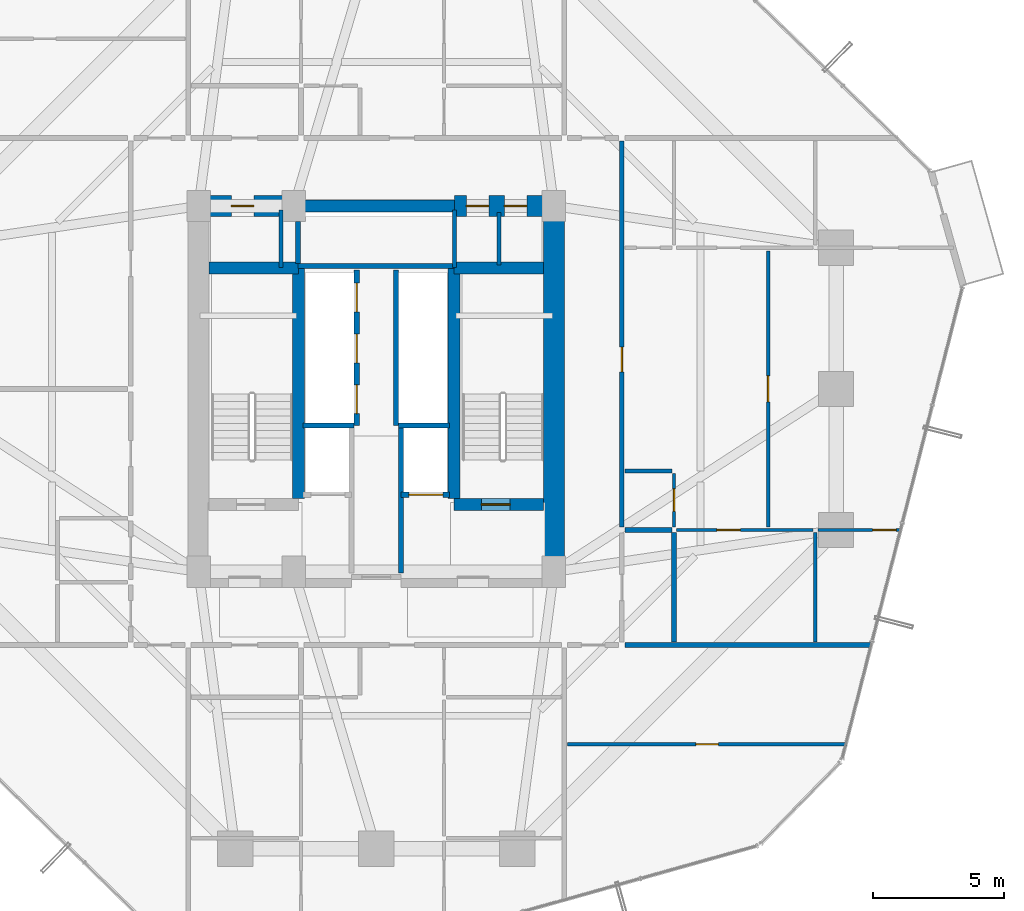
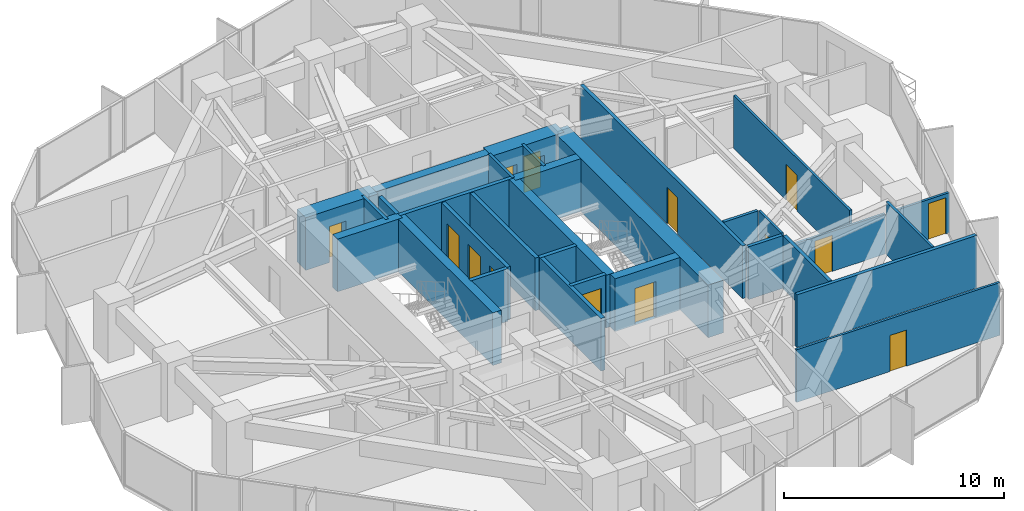
# One storey, part 35 of 39: 31 walls, 14 doors, 14 openings.
"""IFC4 building model written with IfcOpenShell, lengths in metres."""

from ifc_helpers import new_model, si_unit, direction, frame, frame_2d, origin, place, context, subcontext, project, spatial, rectangle, extrude, source, transform, mapped, material, layer, layer_set, type_object, element, fill, save


model = new_model("IFC4")

# Units and contexts
model_context = context("Model", 3, precision=1e-05, world=origin(), true_north=direction((0.0, 1.0)))
body_context = subcontext(model_context, "Body", "Model", "MODEL_VIEW")
ifc_project = project(units=[si_unit("LENGTHUNIT", "METRE"), si_unit("AREAUNIT", "SQUARE_METRE"), si_unit("VOLUMEUNIT", "CUBIC_METRE"), si_unit("PLANEANGLEUNIT", "RADIAN"), si_unit("MASSUNIT", "GRAM", prefix="KILO")], contexts=[model_context])

# Site, building, storey
site_placement = place(None, origin())
site = spatial("IfcSite", under=ifc_project, at=site_placement, CompositionType="ELEMENT")
building_placement = place(site_placement, origin())
building = spatial("IfcBuilding", under=site, at=building_placement, Name="Veraguas Prism Commons", CompositionType="ELEMENT")
storey_placement = place(building_placement, frame((0.0, 0.0, 77.10009765625)))
storey = spatial("IfcBuildingStorey", under=building, at=storey_placement, Name="L21", CompositionType="ELEMENT", Elevation=77.10009765625)

# Wall
ifc_material_1 = material(Name="Concrete C60/75", Category="concrete")
ifc_layer_1 = layer(ifc_material_1, 0.449951171875, Name="Core Internal Shear Wall Lower RC 450", Category="concrete")
ifc_layer_set_1 = layer_set([ifc_layer_1], Name="Concrete C60/75")
wall_type_1 = type_object("IfcWallType", Name="Core Internal Shear Wall Lower RC 450", PredefinedType="SHEAR", material=ifc_layer_set_1)
wall_1_placement = place(storey_placement, frame((21.0, 31.0, 0.0), z_axis=(0.0, 0.0, 1.0), x_axis=(1.0, 0.0, 0.0)))
element("IfcWall", 1, at=wall_1_placement, inside=storey, type_object=wall_type_1, Name="High-Rise Lift Bank Front Shear Wall L21", PredefinedType="SHEAR", context=body_context, shape_type="SweptSolid", body=[
    extrude(rectangle(XDim=6.0, YDim=0.449951171875, at=frame_2d((3.0, 0.0))), origin(), (0.0, 0.0, 1.0), 2.929931640625),
])

# Wall, opening, door
wall_2_placement = place(storey_placement, frame((26.97509765625, 19.574951171875, 0.0), z_axis=(0.0, 0.0, 1.0), x_axis=(1.0, 0.0, 0.0)))
wall_2 = element("IfcWall", 2, at=wall_2_placement, inside=storey, type_object=wall_type_1, Name="Stair ST-02 South Shear Wall L21", PredefinedType="SHEAR", context=body_context, shape_type="SweptSolid", body=[
    extrude(rectangle(XDim=3.4248046875, YDim=0.449951171875, at=frame_2d((1.71240234375, 0.0))), origin(), (0.0, 0.0, 1.0), 2.929931640625),
])
opening_1_placement = place(wall_2_placement, frame((1.050048828125, 0.0, 0.0)))
opening_1 = element("IfcOpeningElement", 3, at=opening_1_placement, cuts=wall_2, Name="Opening DR-05", PredefinedType="OPENING", context=body_context, shape_type="SweptSolid", body=[
    extrude(rectangle(XDim=1.10009765625, YDim=2.030029296875, at=frame_2d((0.550048828125, 1.01513671875))), frame((0.0, 0.23486328125, 0.0), z_axis=(0.0, -1.0, 0.0), x_axis=(1.0, 0.0, 0.0)), (0.0, 0.0, 1.0), 0.469970703125),
])
ifc_material_2 = material(Name="Steel fire-rated door assembly", Category="steel")
door_type_1 = type_object("IfcDoorType", Name="Protected Stair and Refuge Fire Door 1100x2030", OperationType="NOTDEFINED", PredefinedType="DOOR", material=ifc_material_2)
shared_shape_1 = source(origin(), body_context, "Body", "SweptSolid", [
    extrude(rectangle(XDim=1.10009765625, YDim=2.030029296875, at=frame_2d((0.550048828125, 1.01513671875))), frame((0.0, 0.02490234375, 0.0), z_axis=(0.0, -1.0, 0.0), x_axis=(1.0, 0.0, 0.0)), (0.0, 0.0, 1.0), 0.050048828125),
])
door_1_placement = place(opening_1_placement, origin())
door_1 = element("IfcDoor", 4, at=door_1_placement, inside=storey, type_object=door_type_1, Name="Stair ST-02 Enclosure Door L21", OperationType="SINGLE_SWING_RIGHT", OverallHeight=2.030029296875, OverallWidth=1.10009765625, PredefinedType="DOOR", context=body_context, shape_type="MappedRepresentation", body=[
    mapped(shared_shape_1, transform((0.0, 0.0, 0.0), scale=1.0)),
])
fill(opening_1, door_1)

# Walls
for number, where, z_axis, x_axis, name in (
    (5, (21.02490234375, 19.800048828125, 0.0), (0.0, 0.0, 1.0), (0.0, 1.0, 0.0), "Stair ST-01 Inner Shear Wall L21"),
    (6, (26.97509765625, 19.800048828125, 0.0), (0.0, 0.0, 1.0), (0.0, 1.0, 0.0), "Stair ST-02 Inner Shear Wall L21"),
):
    element("IfcWall", number, at=place(storey_placement, frame(where, z_axis=z_axis, x_axis=x_axis)), inside=storey, type_object=wall_type_1, Name=name, PredefinedType="SHEAR", context=body_context, shape_type="SweptSolid", body=[
        extrude(rectangle(XDim=8.824951171875, YDim=0.449951171875, at=frame_2d((4.41259765625, 0.0))), origin(), (0.0, 0.0, 1.0), 2.929931640625),
    ])
for number, where, z_axis, x_axis, name in (
    (7, (17.60009765625, 28.625, 0.0), (0.0, 0.0, 1.0), (1.0, 0.0, 0.0), "Stair ST-01 North Shear Wall L21"),
    (8, (26.97509765625, 28.625, 0.0), (0.0, 0.0, 1.0), (1.0, 0.0, 0.0), "Stair ST-02 North Shear Wall L21"),
):
    element("IfcWall", number, at=place(storey_placement, frame(where, z_axis=z_axis, x_axis=x_axis)), inside=storey, type_object=wall_type_1, Name=name, PredefinedType="SHEAR", context=body_context, shape_type="SweptSolid", body=[
        extrude(rectangle(XDim=3.4248046875, YDim=0.449951171875, at=frame_2d((1.71240234375, 0.0))), origin(), (0.0, 0.0, 1.0), 2.929931640625),
    ])
ifc_layer_2 = layer(ifc_material_1, 0.800048828125, Name="Core Outer Shear Wall Lower RC 800", Category="concrete")
ifc_layer_set_2 = layer_set([ifc_layer_2], Name="Concrete C60/75")
wall_type_2 = type_object("IfcWallType", Name="Core Outer Shear Wall Lower RC 800", PredefinedType="SHEAR", material=ifc_layer_set_2)
wall_3_placement = place(storey_placement, frame((30.800048828125, 16.800048828125, 0.0), z_axis=(0.0, 0.0, 1.0), x_axis=(0.0, 1.0, 0.0)))
element("IfcWall", 9, at=wall_3_placement, inside=storey, type_object=wall_type_2, Name="Central Core East Shear Wall L21", PredefinedType="SHEAR", context=body_context, shape_type="SweptSolid", body=[
    extrude(rectangle(XDim=14.199951171875, YDim=0.800048828125, at=frame_2d((7.10009765625, 0.0))), origin(), (0.0, 0.0, 1.0), 2.929931640625),
])

# Wall, opening, door
wall_4_placement = place(storey_placement, frame((17.199951171875, 31.0, 0.0), z_axis=(0.0, 0.0, 1.0), x_axis=(1.0, 0.0, 0.0)))
wall_4 = element("IfcWall", 10, at=wall_4_placement, inside=storey, type_object=wall_type_2, Name="Central Core North-West Shear Wall L21", PredefinedType="SHEAR", context=body_context, shape_type="SweptSolid", body=[
    extrude(rectangle(XDim=3.800048828125, YDim=0.800048828125, at=frame_2d((1.89990234375, 0.0))), origin(), (0.0, 0.0, 1.0), 2.929931640625),
])
opening_2_placement = place(wall_4_placement, frame((1.25, 0.0, 0.0)))
opening_2 = element("IfcOpeningElement", 11, at=opening_2_placement, cuts=wall_4, Name="Opening DR-12", PredefinedType="OPENING", context=body_context, shape_type="SweptSolid", body=[
    extrude(rectangle(XDim=0.860107421875, YDim=2.010009765625, at=frame_2d((0.43017578125, 1.0048828125))), frame((0.0, 0.409912109375, 0.0), z_axis=(0.0, -1.0, 0.0), x_axis=(1.0, 0.0, 0.0)), (0.0, 0.0, 1.0), 0.820068359375),
])
door_type_2 = type_object("IfcDoorType", Name="Core WC Fire Door 860x2010", OperationType="NOTDEFINED", PredefinedType="DOOR", material=ifc_material_2)
shared_shape_2 = source(origin(), body_context, "Body", "SweptSolid", [
    extrude(rectangle(XDim=0.860107421875, YDim=2.010009765625, at=frame_2d((0.43017578125, 1.0048828125))), frame((0.0, 0.02490234375, 0.0), z_axis=(0.0, -1.0, 0.0), x_axis=(1.0, 0.0, 0.0)), (0.0, 0.0, 1.0), 0.050048828125),
])
door_2_placement = place(opening_2_placement, origin())
door_2 = element("IfcDoor", 12, at=door_2_placement, inside=storey, type_object=door_type_2, Name="Core NW Service Door L21", OperationType="SINGLE_SWING_RIGHT", OverallHeight=2.010009765625, OverallWidth=0.860107421875, PredefinedType="DOOR", context=body_context, shape_type="MappedRepresentation", body=[
    mapped(shared_shape_2, transform((0.0, 0.0, 0.0), scale=1.0)),
])
fill(opening_2, door_2)

# Wall, openings, doors
wall_5_placement = place(storey_placement, frame((27.0, 31.0, 0.0), z_axis=(0.0, 0.0, 1.0), x_axis=(1.0, 0.0, 0.0)))
wall_5 = element("IfcWall", 13, at=wall_5_placement, inside=storey, type_object=wall_type_2, Name="Central Core North-East Shear Wall L21", PredefinedType="SHEAR", context=body_context, shape_type="SweptSolid", body=[
    extrude(rectangle(XDim=3.800048828125, YDim=0.800048828125, at=frame_2d((1.89990234375, 0.0))), origin(), (0.0, 0.0, 1.0), 2.929931640625),
])
opening_3_placement = place(wall_5_placement, frame((0.449951171875, 0.0, 0.0)))
opening_3 = element("IfcOpeningElement", 14, at=opening_3_placement, cuts=wall_5, Name="Opening DR-12", PredefinedType="OPENING", context=body_context, shape_type="SweptSolid", body=[
    extrude(rectangle(XDim=0.860107421875, YDim=2.010009765625, at=frame_2d((0.43017578125, 1.0048828125))), frame((0.0, 0.409912109375, 0.0), z_axis=(0.0, -1.0, 0.0), x_axis=(1.0, 0.0, 0.0)), (0.0, 0.0, 1.0), 0.820068359375),
])
opening_4_placement = place(wall_5_placement, frame((1.89990234375, 0.0, 0.0)))
opening_4 = element("IfcOpeningElement", 15, at=opening_4_placement, cuts=wall_5, Name="Opening DR-12", PredefinedType="OPENING", context=body_context, shape_type="SweptSolid", body=[
    extrude(rectangle(XDim=0.860107421875, YDim=2.010009765625, at=frame_2d((0.43017578125, 1.0048828125))), frame((0.0, 0.409912109375, 0.0), z_axis=(0.0, -1.0, 0.0), x_axis=(1.0, 0.0, 0.0)), (0.0, 0.0, 1.0), 0.820068359375),
])
door_3_placement = place(opening_3_placement, origin())
door_3 = element("IfcDoor", 16, at=door_3_placement, inside=storey, type_object=door_type_2, Name="Core NE Room A Door L21", OperationType="SINGLE_SWING_LEFT", OverallHeight=2.010009765625, OverallWidth=0.860107421875, PredefinedType="DOOR", context=body_context, shape_type="MappedRepresentation", body=[
    mapped(shared_shape_2, transform((0.0, 0.0, 0.0), scale=1.0)),
])
fill(opening_3, door_3)
door_4_placement = place(opening_4_placement, origin())
door_4 = element("IfcDoor", 17, at=door_4_placement, inside=storey, type_object=door_type_2, Name="Core NE Room B Door L21", OperationType="SINGLE_SWING_RIGHT", OverallHeight=2.010009765625, OverallWidth=0.860107421875, PredefinedType="DOOR", context=body_context, shape_type="MappedRepresentation", body=[
    mapped(shared_shape_2, transform((0.0, 0.0, 0.0), scale=1.0)),
])
fill(opening_4, door_4)

# Wall
ifc_material_3 = material(Name="Autoclaved aerated masonry block 10 MPa", Category="masonry")
ifc_layer_3 = layer(ifc_material_3, 0.179931640625, Name="Corridor and Inter-Tenancy Partition 180", Category="masonry")
ifc_layer_set_3 = layer_set([ifc_layer_3], Name="Autoclaved aerated masonry block 10 MPa")
wall_type_3 = type_object("IfcWallType", Name="Corridor and Inter-Tenancy Partition 180", PredefinedType="PARTITIONING", material=ifc_layer_set_3)
wall_6_placement = place(storey_placement, frame((33.52001953125, 14.199951171875, 0.0), z_axis=(0.0, 0.0, 1.0), x_axis=(1.0, 0.0, 0.0)))
element("IfcWall", 18, at=wall_6_placement, inside=storey, type_object=wall_type_3, Name="WL-L21-PT044", PredefinedType="PARTITIONING", context=body_context, shape_type="SweptSolid", body=[
    extrude(rectangle(XDim=9.46044921875, YDim=0.179931640625, at=frame_2d((4.730224609375, 0.0))), origin(), (0.0, 0.0, 1.0), 2.929931640625),
])

# Wall, opening, door
wall_7_placement = place(storey_placement, frame((33.39990234375, 18.7099609375, 0.0), z_axis=(0.0, 0.0, 1.0), x_axis=(0.0, 1.0, 0.0)))
wall_7 = element("IfcWall", 19, at=wall_7_placement, inside=storey, type_object=wall_type_3, Name="WL-L21-PT047", PredefinedType="PARTITIONING", context=body_context, shape_type="SweptSolid", body=[
    extrude(rectangle(XDim=14.780029296875, YDim=0.179931640625, at=frame_2d((7.39013671875, 0.0))), origin(), (0.0, 0.0, 1.0), 2.929931640625),
])
opening_5_placement = place(wall_7_placement, frame((5.93994140625, 0.0, 0.0)))
opening_5 = element("IfcOpeningElement", 20, at=opening_5_placement, cuts=wall_7, Name="Opening DR-01", PredefinedType="OPENING", context=body_context, shape_type="SweptSolid", body=[
    extrude(rectangle(XDim=0.949951171875, YDim=2.02001953125, at=frame_2d((0.47509765625, 1.010009765625))), frame((0.0, 0.099853515625, 0.0), z_axis=(0.0, -1.0, 0.0), x_axis=(1.0, 0.0, 0.0)), (0.0, 0.0, 1.0), 0.199951171875),
])
ifc_material_4 = material(Name="Anodised aluminium EN AW-6063 T6", Category="aluminium")
door_type_3 = type_object("IfcDoorType", Name="Apartment Entrance Fire Door 950x2020", OperationType="NOTDEFINED", PredefinedType="DOOR", material=ifc_material_4)
shared_shape_3 = source(origin(), body_context, "Body", "SweptSolid", [
    extrude(rectangle(XDim=0.949951171875, YDim=2.02001953125, at=frame_2d((0.47509765625, 1.010009765625))), frame((0.0, 0.02490234375, 0.0), z_axis=(0.0, -1.0, 0.0), x_axis=(1.0, 0.0, 0.0)), (0.0, 0.0, 1.0), 0.050048828125),
])
door_5_placement = place(opening_5_placement, origin())
door_5 = element("IfcDoor", 21, at=door_5_placement, inside=storey, type_object=door_type_3, Name="Flat 21C Entrance Door", OperationType="SINGLE_SWING_RIGHT", OverallHeight=2.02001953125, OverallWidth=0.949951171875, PredefinedType="DOOR", context=body_context, shape_type="MappedRepresentation", body=[
    mapped(shared_shape_3, transform((0.0, 0.0, 0.0), scale=1.0)),
])
fill(opening_5, door_5)

# Walls
wall_8_placement = place(storey_placement, frame((35.39990234375, 14.320068359375, 0.0), z_axis=(0.0, 0.0, 1.0), x_axis=(0.0, 1.0, 0.0)))
element("IfcWall", 22, at=wall_8_placement, inside=storey, type_object=wall_type_3, Name="WL-L21-PT053", PredefinedType="PARTITIONING", context=body_context, shape_type="SweptSolid", body=[
    extrude(rectangle(XDim=4.179931640625, YDim=0.179931640625, at=frame_2d((2.08984375, 0.0))), origin(), (0.0, 0.0, 1.0), 2.929931640625),
])
wall_9_placement = place(storey_placement, frame((33.52001953125, 18.60009765625, 0.0), z_axis=(0.0, 0.0, 1.0), x_axis=(1.0, 0.0, 0.0)))
element("IfcWall", 23, at=wall_9_placement, inside=storey, type_object=wall_type_3, Name="WL-L21-PT054", PredefinedType="PARTITIONING", context=body_context, shape_type="SweptSolid", body=[
    extrude(rectangle(XDim=1.800048828125, YDim=0.179931640625, at=frame_2d((0.89990234375, 0.0))), origin(), (0.0, 0.0, 1.0), 2.929931640625),
])
ifc_material_5 = material(Name="Lightweight acoustic gypsum board")
ifc_layer_4 = layer(ifc_material_5, 0.125, Name="Internal Apartment Room Partition 125")
ifc_layer_set_4 = layer_set([ifc_layer_4], Name="Lightweight acoustic gypsum board")
wall_type_4 = type_object("IfcWallType", Name="Internal Apartment Room Partition 125", PredefinedType="PARTITIONING", material=ifc_layer_set_4)
wall_10_placement = place(storey_placement, frame((40.800048828125, 14.320068359375, 0.0), z_axis=(0.0, 0.0, 1.0), x_axis=(0.0, 1.0, 0.0)))
element("IfcWall", 24, at=wall_10_placement, inside=storey, type_object=wall_type_4, Name="WL-L21-PT048", PredefinedType="PARTITIONING", context=body_context, shape_type="SweptSolid", body=[
    extrude(rectangle(XDim=4.179931640625, YDim=0.125, at=frame_2d((2.08984375, 0.0))), origin(), (0.0, 0.0, 1.0), 2.929931640625),
])

# Wall, opening, door
wall_11_placement = place(storey_placement, frame((40.89990234375, 18.60009765625, 0.0), z_axis=(0.0, 0.0, 1.0), x_axis=(1.0, 0.0, 0.0)))
wall_11 = element("IfcWall", 25, at=wall_11_placement, inside=storey, type_object=wall_type_4, Name="WL-L21-PT049", PredefinedType="PARTITIONING", context=body_context, shape_type="SweptSolid", body=[
    extrude(rectangle(XDim=3.20361328125, YDim=0.125, at=frame_2d((1.601806640625, 0.0))), origin(), (0.0, 0.0, 1.0), 2.22900390625),
])
opening_6_placement = place(wall_11_placement, frame((2.103515625, 0.0, 0.0)))
opening_6 = element("IfcOpeningElement", 26, at=opening_6_placement, cuts=wall_11, Name="Opening DR-02", PredefinedType="OPENING", context=body_context, shape_type="SweptSolid", body=[
    extrude(rectangle(XDim=0.89990234375, YDim=2.010009765625, at=frame_2d((0.449951171875, 1.0048828125))), frame((0.0, 0.072509765625, 0.0), z_axis=(0.0, -1.0, 0.0), x_axis=(1.0, 0.0, 0.0)), (0.0, 0.0, 1.0), 0.14501953125),
])
ifc_material_6 = material(Name="Timber solid core hardwood", Category="wood")
door_type_4 = type_object("IfcDoorType", Name="Internal Habitable Room Door 900x2010", OperationType="NOTDEFINED", PredefinedType="DOOR", material=ifc_material_6)
shared_shape_4 = source(origin(), body_context, "Body", "SweptSolid", [
    extrude(rectangle(XDim=0.89990234375, YDim=2.010009765625, at=frame_2d((0.449951171875, 1.0048828125))), frame((0.0, 0.02490234375, 0.0), z_axis=(0.0, -1.0, 0.0), x_axis=(1.0, 0.0, 0.0)), (0.0, 0.0, 1.0), 0.050048828125),
])
door_6_placement = place(opening_6_placement, origin())
door_6 = element("IfcDoor", 27, at=door_6_placement, inside=storey, type_object=door_type_4, Name="Flat 21C Bedroom 3 Door", OperationType="SINGLE_SWING_LEFT", OverallHeight=2.010009765625, OverallWidth=0.89990234375, PredefinedType="DOOR", context=body_context, shape_type="MappedRepresentation", body=[
    mapped(shared_shape_4, transform((0.0, 0.0, 0.0), scale=1.0)),
])
fill(opening_6, door_6)

wall_12_placement = place(storey_placement, frame((39.0, 18.719970703125, 0.0), z_axis=(0.0, 0.0, 1.0), x_axis=(0.0, 1.0, 0.0)))
wall_12 = element("IfcWall", 28, at=wall_12_placement, inside=storey, type_object=wall_type_4, Name="WL-L21-PT052", PredefinedType="PARTITIONING", context=body_context, shape_type="SweptSolid", body=[
    extrude(rectangle(XDim=10.56005859375, YDim=0.125, at=frame_2d((5.280029296875, 0.0))), origin(), (0.0, 0.0, 1.0), 2.929931640625),
])
opening_7_placement = place(wall_12_placement, frame((4.780029296875, 0.0, 0.0)))
opening_7 = element("IfcOpeningElement", 29, at=opening_7_placement, cuts=wall_12, Name="Opening DR-04", PredefinedType="OPENING", context=body_context, shape_type="SweptSolid", body=[
    extrude(rectangle(XDim=1.0, YDim=2.010009765625, at=frame_2d((0.5, 1.0048828125))), frame((0.0, 0.072509765625, 0.0), z_axis=(0.0, -1.0, 0.0), x_axis=(1.0, 0.0, 0.0)), (0.0, 0.0, 1.0), 0.14501953125),
])
door_type_5 = type_object("IfcDoorType", Name="Accessible WC and Clinic Exam Door 1000x2010", OperationType="NOTDEFINED", PredefinedType="DOOR", material=ifc_material_4)
shared_shape_5 = source(origin(), body_context, "Body", "SweptSolid", [
    extrude(rectangle(XDim=1.0, YDim=2.010009765625, at=frame_2d((0.5, 1.0048828125))), frame((0.0, 0.02490234375, 0.0), z_axis=(0.0, -1.0, 0.0), x_axis=(1.0, 0.0, 0.0)), (0.0, 0.0, 1.0), 0.050048828125),
])
door_7_placement = place(opening_7_placement, origin())
door_7 = element("IfcDoor", 30, at=door_7_placement, inside=storey, type_object=door_type_5, Name="Flat 21C Sunroom Door", OperationType="SINGLE_SWING_LEFT", OverallHeight=2.010009765625, OverallWidth=1.0, PredefinedType="DOOR", context=body_context, shape_type="MappedRepresentation", body=[
    mapped(shared_shape_5, transform((0.0, 0.0, 0.0), scale=1.0)),
])
fill(opening_7, door_7)

wall_13_placement = place(storey_placement, frame((35.5, 18.60009765625, 0.0), z_axis=(0.0, 0.0, 1.0), x_axis=(1.0, 0.0, 0.0)))
wall_13 = element("IfcWall", 31, at=wall_13_placement, inside=storey, type_object=wall_type_4, Name="WL-L21-PT055", PredefinedType="PARTITIONING", context=body_context, shape_type="SweptSolid", body=[
    extrude(rectangle(XDim=5.219970703125, YDim=0.125, at=frame_2d((2.60986328125, 0.0))), origin(), (0.0, 0.0, 1.0), 2.22900390625),
])
opening_8_placement = place(wall_13_placement, frame((1.53271484375, 0.0, 0.0)))
opening_8 = element("IfcOpeningElement", 32, at=opening_8_placement, cuts=wall_13, Name="Opening DR-02", PredefinedType="OPENING", context=body_context, shape_type="SweptSolid", body=[
    extrude(rectangle(XDim=0.89990234375, YDim=2.010009765625, at=frame_2d((0.449951171875, 1.0048828125))), frame((0.0, 0.072509765625, 0.0), z_axis=(0.0, -1.0, 0.0), x_axis=(1.0, 0.0, 0.0)), (0.0, 0.0, 1.0), 0.14501953125),
])
door_8_placement = place(opening_8_placement, origin())
door_8 = element("IfcDoor", 33, at=door_8_placement, inside=storey, type_object=door_type_4, Name="Flat 21C Bedroom 2 Door", OperationType="SINGLE_SWING_RIGHT", OverallHeight=2.010009765625, OverallWidth=0.89990234375, PredefinedType="DOOR", context=body_context, shape_type="MappedRepresentation", body=[
    mapped(shared_shape_4, transform((0.0, 0.0, 0.0), scale=1.0)),
])
fill(opening_8, door_8)

wall_14_placement = place(storey_placement, frame((35.39990234375, 18.719970703125, 0.0), z_axis=(0.0, 0.0, 1.0), x_axis=(0.0, 1.0, 0.0)))
wall_14 = element("IfcWall", 34, at=wall_14_placement, inside=storey, type_object=wall_type_4, Name="WL-L21-PT057", PredefinedType="PARTITIONING", context=body_context, shape_type="SweptSolid", body=[
    extrude(rectangle(XDim=2.050048828125, YDim=0.125, at=frame_2d((1.02490234375, 0.0))), origin(), (0.0, 0.0, 1.0), 2.929931640625),
])
opening_9_placement = place(wall_14_placement, frame((0.594970703125, 0.0, 0.0)))
opening_9 = element("IfcOpeningElement", 35, at=opening_9_placement, cuts=wall_14, Name="Opening DR-03", PredefinedType="OPENING", context=body_context, shape_type="SweptSolid", body=[
    extrude(rectangle(XDim=0.860107421875, YDim=2.010009765625, at=frame_2d((0.43017578125, 1.0048828125))), frame((0.0, 0.072509765625, 0.0), z_axis=(0.0, -1.0, 0.0), x_axis=(1.0, 0.0, 0.0)), (0.0, 0.0, 1.0), 0.14501953125),
])
ifc_material_7 = material(Name="Timber moisture-resistant leaf", Category="wood")
door_type_6 = type_object("IfcDoorType", Name="Internal Bathroom Door 860x2010", OperationType="NOTDEFINED", PredefinedType="DOOR", material=ifc_material_7)
door_9_placement = place(opening_9_placement, origin())
door_9 = element("IfcDoor", 36, at=door_9_placement, inside=storey, type_object=door_type_6, Name="Flat 21C Bathroom Door", OperationType="SINGLE_SWING_LEFT", OverallHeight=2.010009765625, OverallWidth=0.860107421875, PredefinedType="DOOR", context=body_context, shape_type="MappedRepresentation", body=[
    mapped(shared_shape_2, transform((0.0, 0.0, 0.0), scale=1.0)),
])
fill(opening_9, door_9)

wall_15_placement = place(storey_placement, frame((31.320068359375, 10.39990234375, 0.0), z_axis=(0.0, 0.0, 1.0), x_axis=(1.0, 0.0, 0.0)))
wall_15 = element("IfcWall", 37, at=wall_15_placement, inside=storey, type_object=wall_type_4, Name="WL-L21-PT063", PredefinedType="PARTITIONING", context=body_context, shape_type="SweptSolid", body=[
    extrude(rectangle(XDim=10.6904296875, YDim=0.125, at=frame_2d((5.34521484375, 0.0))), origin(), (0.0, 0.0, 1.0), 2.929931640625),
])
opening_10_placement = place(wall_15_placement, frame((4.915283203125, 0.0, 0.0)))
opening_10 = element("IfcOpeningElement", 38, at=opening_10_placement, cuts=wall_15, Name="Opening DR-03", PredefinedType="OPENING", context=body_context, shape_type="SweptSolid", body=[
    extrude(rectangle(XDim=0.860107421875, YDim=2.010009765625, at=frame_2d((0.43017578125, 1.0048828125))), frame((0.0, 0.072509765625, 0.0), z_axis=(0.0, -1.0, 0.0), x_axis=(1.0, 0.0, 0.0)), (0.0, 0.0, 1.0), 0.14501953125),
])
door_10_placement = place(opening_10_placement, origin())
door_10 = element("IfcDoor", 39, at=door_10_placement, inside=storey, type_object=door_type_6, Name="Corner Store SE Door", OperationType="SINGLE_SWING_RIGHT", OverallHeight=2.010009765625, OverallWidth=0.860107421875, PredefinedType="DOOR", context=body_context, shape_type="MappedRepresentation", body=[
    mapped(shared_shape_2, transform((0.0, 0.0, 0.0), scale=1.0)),
])
fill(opening_10, door_10)

ifc_layer_5 = layer(ifc_material_3, 0.199951171875, Name="Rated Shaft and Lobby Block Wall 200", Category="masonry")
ifc_layer_set_5 = layer_set([ifc_layer_5], Name="Autoclaved aerated masonry block 10 MPa")
wall_type_5 = type_object("IfcWallType", Name="Rated Shaft and Lobby Block Wall 200", PredefinedType="SOLIDWALL", material=ifc_layer_set_5)
wall_16_placement = place(storey_placement, frame((24.949951171875, 19.949951171875, 0.0), z_axis=(0.0, 0.0, 1.0), x_axis=(1.0, 0.0, 0.0)))
wall_16 = element("IfcWall", 40, at=wall_16_placement, inside=storey, type_object=wall_type_5, Name="Firefighting Lift FFL-2 Front Wall L21", PredefinedType="SOLIDWALL", context=body_context, shape_type="SweptSolid", body=[
    extrude(rectangle(XDim=1.85009765625, YDim=0.199951171875, at=frame_2d((0.925048828125, 0.0))), origin(), (0.0, 0.0, 1.0), 2.929931640625),
])
opening_11_placement = place(wall_16_placement, frame((0.300048828125, 0.0, 0.0)))
opening_11 = element("IfcOpeningElement", 41, at=opening_11_placement, cuts=wall_16, Name="Opening LD-02", PredefinedType="OPENING", context=body_context, shape_type="SweptSolid", body=[
    extrude(rectangle(XDim=1.300048828125, YDim=2.25, at=frame_2d((0.64990234375, 1.125))), frame((0.0, 0.10986328125, 0.0), z_axis=(0.0, -1.0, 0.0), x_axis=(1.0, 0.0, 0.0)), (0.0, 0.0, 1.0), 0.219970703125),
])
ifc_material_8 = material(Name="Stainless steel AISI 316", Category="steel")
door_type_7 = type_object("IfcDoorType", Name="Firefighting Lift Sliding Landing Door 1300x2250", OperationType="NOTDEFINED", PredefinedType="DOOR", material=ifc_material_8)
shared_shape_6 = source(origin(), body_context, "Body", "SweptSolid", [
    extrude(rectangle(XDim=1.300048828125, YDim=2.25, at=frame_2d((0.64990234375, 1.125))), frame((0.0, 0.02490234375, 0.0), z_axis=(0.0, -1.0, 0.0), x_axis=(1.0, 0.0, 0.0)), (0.0, 0.0, 1.0), 0.050048828125),
])
door_11_placement = place(opening_11_placement, origin())
door_11 = element("IfcDoor", 42, at=door_11_placement, inside=storey, type_object=door_type_7, Name="Firefighting Lift FFL-2 Front Wall L21", OperationType="SLIDING_TO_LEFT", OverallHeight=2.25, OverallWidth=1.300048828125, PredefinedType="DOOR", context=body_context, shape_type="MappedRepresentation", body=[
    mapped(shared_shape_6, transform((0.0, 0.0, 0.0), scale=1.0)),
])
fill(opening_11, door_11)

# Walls
wall_17_placement = place(storey_placement, frame((24.949951171875, 16.949951171875, 0.0), z_axis=(0.0, 0.0, 1.0), x_axis=(0.0, 1.0, 0.0)))
element("IfcWall", 43, at=wall_17_placement, inside=storey, type_object=wall_type_5, Name="East FF Lobby Divider Wall L21", PredefinedType="SOLIDWALL", context=body_context, shape_type="SweptSolid", body=[
    extrude(rectangle(XDim=5.60009765625, YDim=0.199951171875, at=frame_2d((2.800048828125, 0.0))), origin(), (0.0, 0.0, 1.0), 2.929931640625),
])
for number, where, z_axis, x_axis, name in (
    (44, (21.199951171875, 22.60009765625, 0.0), (0.0, 0.0, 1.0), (1.0, 0.0, 0.0), "Firefighting Lift FFL-1 Rear Wall L21"),
    (45, (24.85009765625, 22.60009765625, 0.0), (0.0, 0.0, 1.0), (1.0, 0.0, 0.0), "Firefighting Lift FFL-2 Rear Wall L21"),
):
    element("IfcWall", number, at=place(storey_placement, frame(where, z_axis=z_axis, x_axis=x_axis)), inside=storey, type_object=wall_type_5, Name=name, PredefinedType="SOLIDWALL", context=body_context, shape_type="SweptSolid", body=[
        extrude(rectangle(XDim=1.949951171875, YDim=0.199951171875, at=frame_2d((0.97509765625, 0.0))), origin(), (0.0, 0.0, 1.0), 2.929931640625),
    ])
wall_18_placement = place(storey_placement, frame((21.0, 28.699951171875, 0.0), z_axis=(0.0, 0.0, 1.0), x_axis=(1.0, 0.0, 0.0)))
element("IfcWall", 46, at=wall_18_placement, inside=storey, type_object=wall_type_5, Name="High-Rise Lift Bank Rear Shaft Wall L21", PredefinedType="SOLIDWALL", context=body_context, shape_type="SweptSolid", body=[
    extrude(rectangle(XDim=6.0, YDim=0.199951171875, at=frame_2d((3.0, 0.0))), origin(), (0.0, 0.0, 1.0), 2.929931640625),
])
wall_19_placement = place(storey_placement, frame((21.0, 28.800048828125, 0.0), z_axis=(0.0, 0.0, 1.0), x_axis=(0.0, 1.0, 0.0)))
element("IfcWall", 47, at=wall_19_placement, inside=storey, type_object=wall_type_5, Name="High-Rise Lift Bank West Shaft Wall L21", PredefinedType="SOLIDWALL", context=body_context, shape_type="SweptSolid", body=[
    extrude(rectangle(XDim=1.599853515625, YDim=0.199951171875, at=frame_2d((0.7998046875, 0.0))), origin(), (0.0, 0.0, 1.0), 2.929931640625),
])

# Wall, openings, doors
wall_20_placement = place(storey_placement, frame((23.25, 22.60009765625, 0.0), z_axis=(0.0, 0.0, 1.0), x_axis=(0.0, 1.0, 0.0)))
wall_20 = element("IfcWall", 48, at=wall_20_placement, inside=storey, type_object=wall_type_5, Name="Low-Rise Lift Bank Front Wall L21", PredefinedType="SOLIDWALL", context=body_context, shape_type="SweptSolid", body=[
    extrude(rectangle(XDim=5.949951171875, YDim=0.199951171875, at=frame_2d((2.97509765625, 0.0))), origin(), (0.0, 0.0, 1.0), 2.929931640625),
])
opening_12_placement = place(wall_20_placement, frame((0.449951171875, 0.0, 0.0)))
opening_12 = element("IfcOpeningElement", 49, at=opening_12_placement, cuts=wall_20, Name="Opening LD-01", PredefinedType="OPENING", context=body_context, shape_type="SweptSolid", body=[
    extrude(rectangle(XDim=1.10009765625, YDim=2.080078125, at=frame_2d((0.550048828125, 1.0400390625))), frame((0.0, 0.10986328125, 0.0), z_axis=(0.0, -1.0, 0.0), x_axis=(1.0, 0.0, 0.0)), (0.0, 0.0, 1.0), 0.219970703125),
])
opening_13_placement = place(wall_20_placement, frame((2.39990234375, 0.0, 0.0)))
opening_13 = element("IfcOpeningElement", 50, at=opening_13_placement, cuts=wall_20, Name="Opening LD-01", PredefinedType="OPENING", context=body_context, shape_type="SweptSolid", body=[
    extrude(rectangle(XDim=1.10009765625, YDim=2.080078125, at=frame_2d((0.550048828125, 1.0400390625))), frame((0.0, 0.10986328125, 0.0), z_axis=(0.0, -1.0, 0.0), x_axis=(1.0, 0.0, 0.0)), (0.0, 0.0, 1.0), 0.219970703125),
])
opening_14_placement = place(wall_20_placement, frame((4.35009765625, 0.0, 0.0)))
opening_14 = element("IfcOpeningElement", 51, at=opening_14_placement, cuts=wall_20, Name="Opening LD-01", PredefinedType="OPENING", context=body_context, shape_type="SweptSolid", body=[
    extrude(rectangle(XDim=1.10009765625, YDim=2.080078125, at=frame_2d((0.550048828125, 1.0400390625))), frame((0.0, 0.10986328125, 0.0), z_axis=(0.0, -1.0, 0.0), x_axis=(1.0, 0.0, 0.0)), (0.0, 0.0, 1.0), 0.219970703125),
])
door_type_8 = type_object("IfcDoorType", Name="Passenger Lift Sliding Landing Door 1100x2080", OperationType="NOTDEFINED", PredefinedType="DOOR", material=ifc_material_8)
shared_shape_7 = source(origin(), body_context, "Body", "SweptSolid", [
    extrude(rectangle(XDim=1.10009765625, YDim=2.080078125, at=frame_2d((0.550048828125, 1.0400390625))), frame((0.0, 0.02490234375, 0.0), z_axis=(0.0, -1.0, 0.0), x_axis=(1.0, 0.0, 0.0)), (0.0, 0.0, 1.0), 0.050048828125),
])
door_12_placement = place(opening_12_placement, origin())
door_12 = element("IfcDoor", 52, at=door_12_placement, inside=storey, type_object=door_type_8, Name="Sliding Landing Door PL-L1 L21", OperationType="SLIDING_TO_LEFT", OverallHeight=2.080078125, OverallWidth=1.10009765625, PredefinedType="DOOR", context=body_context, shape_type="MappedRepresentation", body=[
    mapped(shared_shape_7, transform((0.0, 0.0, 0.0), scale=1.0)),
])
fill(opening_12, door_12)
door_13_placement = place(opening_13_placement, origin())
door_13 = element("IfcDoor", 53, at=door_13_placement, inside=storey, type_object=door_type_8, Name="Sliding Landing Door PL-L2 L21", OperationType="SLIDING_TO_LEFT", OverallHeight=2.080078125, OverallWidth=1.10009765625, PredefinedType="DOOR", context=body_context, shape_type="MappedRepresentation", body=[
    mapped(shared_shape_7, transform((0.0, 0.0, 0.0), scale=1.0)),
])
fill(opening_13, door_13)
door_14_placement = place(opening_14_placement, origin())
door_14 = element("IfcDoor", 54, at=door_14_placement, inside=storey, type_object=door_type_8, Name="Sliding Landing Door PL-L3 L21", OperationType="SLIDING_TO_LEFT", OverallHeight=2.080078125, OverallWidth=1.10009765625, PredefinedType="DOOR", context=body_context, shape_type="MappedRepresentation", body=[
    mapped(shared_shape_7, transform((0.0, 0.0, 0.0), scale=1.0)),
])
fill(opening_14, door_14)

# Walls
wall_21_placement = place(storey_placement, frame((24.75, 22.60009765625, 0.0), z_axis=(0.0, 0.0, 1.0), x_axis=(0.0, 1.0, 0.0)))
element("IfcWall", 55, at=wall_21_placement, inside=storey, type_object=wall_type_5, Name="Mid-Rise Lift Bank Front Wall L21", PredefinedType="SOLIDWALL", context=body_context, shape_type="SweptSolid", body=[
    extrude(rectangle(XDim=5.949951171875, YDim=0.199951171875, at=frame_2d((2.97509765625, 0.0))), origin(), (0.0, 0.0, 1.0), 2.929931640625),
])
ifc_layer_6 = layer(ifc_material_5, 0.14990234375, Name="Wet Room and Clinic Acoustic Partition 150")
ifc_layer_set_6 = layer_set([ifc_layer_6], Name="Lightweight acoustic gypsum board")
wall_type_6 = type_object("IfcWallType", Name="Wet Room and Clinic Acoustic Partition 150", PredefinedType="PARTITIONING", material=ifc_layer_set_6)
for number, where, z_axis, x_axis, name in (
    (56, (20.35009765625, 28.64990234375, 0.0), (0.0, 0.0, 1.0), (0.0, 1.0, 0.0), "Core NW Service Inner Wall L21"),
    (57, (27.0, 28.64990234375, 0.0), (0.0, 0.0, 1.0), (0.0, 1.0, 0.0), "Core NE Service Inner Wall L21"),
):
    element("IfcWall", number, at=place(storey_placement, frame(where, z_axis=z_axis, x_axis=x_axis)), inside=storey, type_object=wall_type_6, Name=name, PredefinedType="PARTITIONING", context=body_context, shape_type="SweptSolid", body=[
        extrude(rectangle(XDim=2.2001953125, YDim=0.14990234375, at=frame_2d((1.10009765625, 0.0))), origin(), (0.0, 0.0, 1.0), 2.929931640625),
    ])
wall_22_placement = place(storey_placement, frame((28.699951171875, 28.75, 0.0), z_axis=(0.0, 0.0, 1.0), x_axis=(0.0, 1.0, 0.0)))
element("IfcWall", 58, at=wall_22_placement, inside=storey, type_object=wall_type_6, Name="WL-L21-CSVD1", PredefinedType="PARTITIONING", context=body_context, shape_type="SweptSolid", body=[
    extrude(rectangle(XDim=2.0, YDim=0.14990234375, at=frame_2d((1.0, 0.0))), origin(), (0.0, 0.0, 1.0), 2.929931640625),
])
wall_23_placement = place(storey_placement, frame((33.52001953125, 20.85009765625, 0.0), z_axis=(0.0, 0.0, 1.0), x_axis=(1.0, 0.0, 0.0)))
element("IfcWall", 59, at=wall_23_placement, inside=storey, type_object=wall_type_6, Name="WL-L21-PT056", PredefinedType="PARTITIONING", context=body_context, shape_type="SweptSolid", body=[
    extrude(rectangle(XDim=1.800048828125, YDim=0.14990234375, at=frame_2d((0.89990234375, 0.0))), origin(), (0.0, 0.0, 1.0), 2.929931640625),
])

save(model, "model.ifc")
